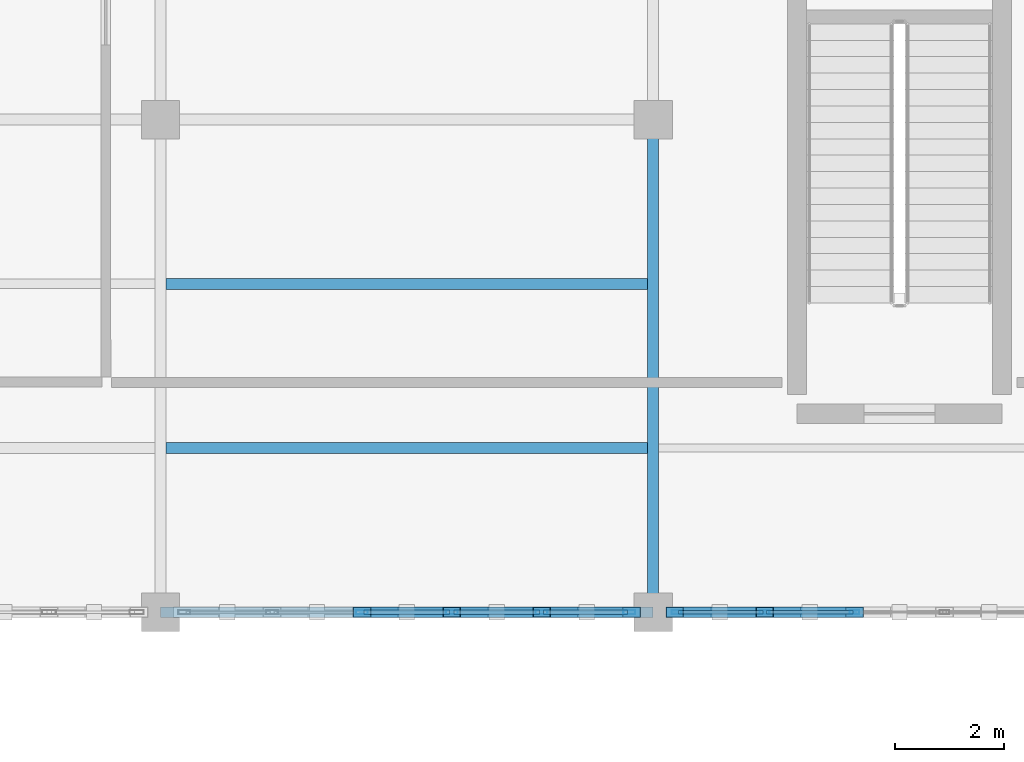
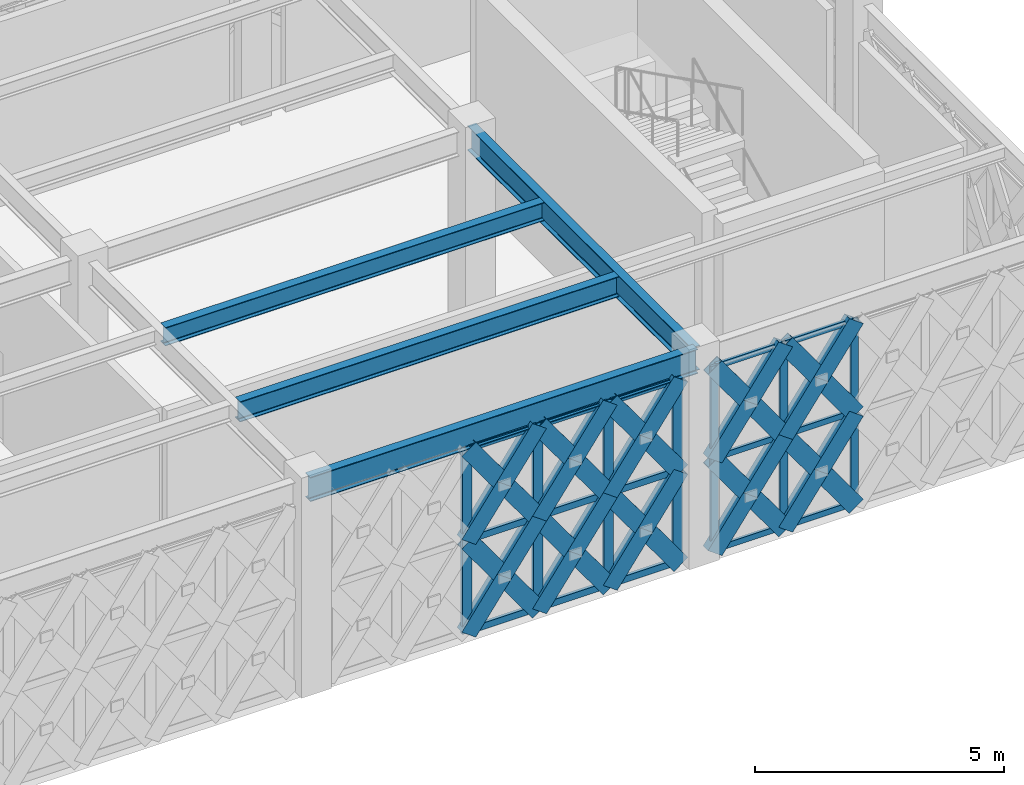
# One storey, part 10 of 72: 52 members, 4 beams, 2 elements without a shape of their own.
"""IFC4 building model written with IfcOpenShell, lengths in metres."""

from ifc_helpers import new_model, si_unit, direction, frame, origin, origin_2d, place, context, subcontext, project, spatial, hollow_rectangle, i_section, extrude, material, material_profile, profile_set, type_object, element, aggregate, save


model = new_model("IFC4")

# Units and contexts
model_context = context("Model", 3, precision=1e-05, world=origin(), true_north=direction((0.0, 1.0)))
body_context = subcontext(model_context, "Body", "Model", "MODEL_VIEW")
ifc_project = project(units=[si_unit("LENGTHUNIT", "METRE"), si_unit("AREAUNIT", "SQUARE_METRE"), si_unit("VOLUMEUNIT", "CUBIC_METRE"), si_unit("PLANEANGLEUNIT", "RADIAN"), si_unit("MASSUNIT", "GRAM", prefix="KILO")], contexts=[model_context])

# Site, building, storey
site_placement = place(None, origin())
site = spatial("IfcSite", under=ifc_project, at=site_placement, CompositionType="ELEMENT")
building_placement = place(site_placement, origin())
building = spatial("IfcBuilding", under=site, at=building_placement, Name="Haizhuo Lancet Aquarium", CompositionType="ELEMENT")
storey_placement = place(building_placement, frame((0.0, 0.0, 21.60009765625)))
storey = spatial("IfcBuildingStorey", under=building, at=storey_placement, Name="L04", CompositionType="ELEMENT", Elevation=21.60009765625)

# Beams
ifc_material_1 = material(Name="Steel S355", Category="steel")
ifc_material_profile_1 = material_profile(ifc_material_1, i_section(OverallWidth=0.199951171875, OverallDepth=0.60009765625, WebThickness=0.010986328125, FlangeThickness=0.01708984375, FilletRadius=0.02197265625, at=origin_2d()), Name="HN 600x200x11x17")
ifc_profile_set_1 = profile_set([ifc_material_profile_1], Name="Steel S355")
beam_type_1 = type_object("IfcBeamType", Name="BM-ST-HN600", PredefinedType="BEAM", material=ifc_profile_set_1)
for number, where, z_axis, x_axis, name in (
    (1, (-54.0, -27.0, 4.849853515625), (1.0, 0.0, 0.0), (0.0, 1.0, 0.0), "L04 V6 primary girder BM-L04-V6-015"),
    (2, (-45.0, -27.0, 4.849853515625), (0.0, 1.0, 0.0), (-1.0, 0.0, 0.0), "L04 V6 primary girder BM-L04-V6-019"),
):
    element("IfcBeam", number, at=place(storey_placement, frame(where, z_axis=z_axis, x_axis=x_axis)), inside=storey, type_object=beam_type_1, Name=name, PredefinedType="BEAM", context=body_context, shape_type="SweptSolid", body=[
        extrude(i_section(OverallWidth=0.199951171875, OverallDepth=0.60009765625, WebThickness=0.010986328125, FlangeThickness=0.01708984375, FilletRadius=0.02197265625, at=origin_2d()), origin(), (0.0, 0.0, 1.0), 9.0),
    ])

# Curtain wall, members
ifc_material_2 = material(Name="Aluminium 6063-T6", Category="aluminium")
curtain_wall_type = type_object("IfcCurtainWallType", Name="CWD-8210x4550", PredefinedType="NOTDEFINED", material=ifc_material_2)
curtain_wall_1_placement = place(storey_placement, origin())
curtain_wall_1 = element("IfcCurtainWall", 3, at=curtain_wall_1_placement, inside=storey, type_object=curtain_wall_type, Name="L04 curtain wall CW-V6-L04-253", PredefinedType="NOTDEFINED")
ifc_material_profile_2 = material_profile(ifc_material_2, hollow_rectangle(XDim=0.06494140625, YDim=0.179931640625, WallThickness=0.00390625, at=origin_2d()), Name="ALU-M 65x180x4")
ifc_profile_set_2 = profile_set([ifc_material_profile_2], Name="Aluminium 6063-T6")
member_type_1 = type_object("IfcMemberType", Name="CW-MUL-1", PredefinedType="MULLION", material=ifc_profile_set_2)
member_1_placement = place(storey_placement, frame((-41.321044921875, -27.0, 0.0), z_axis=(0.0, 0.0, 1.0), x_axis=(0.0, -1.0, 0.0)))
member_1 = element("IfcMember", 4, at=member_1_placement, type_object=member_type_1, Name="CWD-82x45 mullion 4", PredefinedType="MULLION", context=body_context, shape_type="SweptSolid", body=[
    extrude(hollow_rectangle(XDim=0.06494140625, YDim=0.179931640625, WallThickness=0.00390625, at=origin_2d()), origin(), (0.0, 0.0, 1.0), 4.5498046875),
])
member_2_placement = place(storey_placement, frame((-42.962890625, -27.0, 0.0), z_axis=(0.0, 0.0, 1.0), x_axis=(0.0, -1.0, 0.0)))
member_2 = element("IfcMember", 5, at=member_2_placement, type_object=member_type_1, Name="CWD-82x45 mullion 5", PredefinedType="MULLION", context=body_context, shape_type="SweptSolid", body=[
    extrude(hollow_rectangle(XDim=0.06494140625, YDim=0.179931640625, WallThickness=0.00390625, at=origin_2d()), origin(), (0.0, 0.0, 1.0), 4.5498046875),
])
member_3_placement = place(storey_placement, frame((-44.572021484375, -27.0, 0.0), z_axis=(0.0, 0.0, 1.0), x_axis=(0.0, -1.0, 0.0)))
member_3 = element("IfcMember", 6, at=member_3_placement, type_object=member_type_1, Name="CWD-82x45 mullion 6", PredefinedType="MULLION", context=body_context, shape_type="SweptSolid", body=[
    extrude(hollow_rectangle(XDim=0.06494140625, YDim=0.179931640625, WallThickness=0.00390625, at=origin_2d()), origin(), (0.0, 0.0, 1.0), 4.5498046875),
])

curtain_wall_2_placement = place(storey_placement, origin())
curtain_wall_2 = element("IfcCurtainWall", 7, at=curtain_wall_2_placement, inside=storey, type_object=curtain_wall_type, Name="L04 curtain wall CW-V6-L04-254", PredefinedType="NOTDEFINED")
ifc_material_profile_3 = material_profile(ifc_material_2, hollow_rectangle(XDim=0.074951171875, YDim=0.219970703125, WallThickness=0.0048828125, at=origin_2d()), Name="ALU-M 75x220x5")
ifc_profile_set_3 = profile_set([ifc_material_profile_3], Name="Aluminium 6063-T6")
member_type_2 = type_object("IfcMemberType", Name="CW-MUL-2", PredefinedType="MULLION", material=ifc_profile_set_3)
member_4_placement = place(storey_placement, frame((-45.43310546875, -27.0, 0.0), z_axis=(0.0, 0.0, 1.0), x_axis=(0.0, -1.0, 0.0)))
member_4 = element("IfcMember", 8, at=member_4_placement, type_object=member_type_2, Name="CWD-82x45 mullion 1", PredefinedType="MULLION", context=body_context, shape_type="SweptSolid", body=[
    extrude(hollow_rectangle(XDim=0.074951171875, YDim=0.219970703125, WallThickness=0.0048828125, at=origin_2d()), origin(), (0.0, 0.0, 1.0), 4.5498046875),
])
member_5_placement = place(storey_placement, frame((-47.037109375, -27.0, 0.0), z_axis=(0.0, 0.0, 1.0), x_axis=(0.0, -1.0, 0.0)))
member_5 = element("IfcMember", 9, at=member_5_placement, type_object=member_type_2, Name="CWD-82x45 mullion 2", PredefinedType="MULLION", context=body_context, shape_type="SweptSolid", body=[
    extrude(hollow_rectangle(XDim=0.074951171875, YDim=0.219970703125, WallThickness=0.0048828125, at=origin_2d()), origin(), (0.0, 0.0, 1.0), 4.5498046875),
])
member_6_placement = place(storey_placement, frame((-48.678955078125, -27.0, 0.0), z_axis=(0.0, 0.0, 1.0), x_axis=(0.0, -1.0, 0.0)))
member_6 = element("IfcMember", 10, at=member_6_placement, type_object=member_type_2, Name="CWD-82x45 mullion 3", PredefinedType="MULLION", context=body_context, shape_type="SweptSolid", body=[
    extrude(hollow_rectangle(XDim=0.074951171875, YDim=0.219970703125, WallThickness=0.0048828125, at=origin_2d()), origin(), (0.0, 0.0, 1.0), 4.5498046875),
])
member_7_placement = place(storey_placement, frame((-50.321044921875, -27.0, 0.0), z_axis=(0.0, 0.0, 1.0), x_axis=(0.0, -1.0, 0.0)))
member_7 = element("IfcMember", 11, at=member_7_placement, type_object=member_type_2, Name="CWD-82x45 mullion 4", PredefinedType="MULLION", context=body_context, shape_type="SweptSolid", body=[
    extrude(hollow_rectangle(XDim=0.074951171875, YDim=0.219970703125, WallThickness=0.0048828125, at=origin_2d()), origin(), (0.0, 0.0, 1.0), 4.5498046875),
])

# Member
ifc_material_profile_4 = material_profile(ifc_material_2, hollow_rectangle(XDim=0.06494140625, YDim=0.139892578125, WallThickness=0.00390625, at=origin_2d()), Name="ALU-T 65x140x4")
ifc_profile_set_4 = profile_set([ifc_material_profile_4], Name="Aluminium 6063-T6")
member_type_3 = type_object("IfcMemberType", Name="CW-TRN-1", PredefinedType="NOTDEFINED", material=ifc_profile_set_4)
member_8_placement = place(storey_placement, frame((-41.35302734375, -27.0, 0.032958984375), z_axis=(-1.0, 0.0, 0.0), x_axis=(0.0, -1.0, 0.0)))
member_8 = element("IfcMember", 12, at=member_8_placement, type_object=member_type_3, Name="CWD-82x45 transom 4.1", ObjectType="TRANSOM", PredefinedType="USERDEFINED", context=body_context, shape_type="SweptSolid", body=[
    extrude(hollow_rectangle(XDim=0.06494140625, YDim=0.139892578125, WallThickness=0.00390625, at=origin_2d()), origin(), (0.0, 0.0, 1.0), 1.576904296875),
])

member_9_placement = place(storey_placement, frame((-41.35302734375, -27.0, 2.27490234375), z_axis=(-1.0, 0.0, 0.0), x_axis=(0.0, -1.0, 0.0)))
member_9 = element("IfcMember", 13, at=member_9_placement, type_object=member_type_3, Name="CWD-82x45 transom 4.2", ObjectType="TRANSOM", PredefinedType="USERDEFINED", context=body_context, shape_type="SweptSolid", body=[
    extrude(hollow_rectangle(XDim=0.06494140625, YDim=0.139892578125, WallThickness=0.00390625, at=origin_2d()), origin(), (0.0, 0.0, 1.0), 1.576904296875),
])

member_10_placement = place(storey_placement, frame((-41.35302734375, -27.0, 4.516845703125), z_axis=(-1.0, 0.0, 0.0), x_axis=(0.0, -1.0, 0.0)))
member_10 = element("IfcMember", 14, at=member_10_placement, type_object=member_type_3, Name="CWD-82x45 transom 4.3", ObjectType="TRANSOM", PredefinedType="USERDEFINED", context=body_context, shape_type="SweptSolid", body=[
    extrude(hollow_rectangle(XDim=0.06494140625, YDim=0.139892578125, WallThickness=0.00390625, at=origin_2d()), origin(), (0.0, 0.0, 1.0), 1.576904296875),
])

member_11_placement = place(storey_placement, frame((-42.9951171875, -27.0, 0.032958984375), z_axis=(-1.0, 0.0, 0.0), x_axis=(0.0, -1.0, 0.0)))
member_11 = element("IfcMember", 15, at=member_11_placement, type_object=member_type_3, Name="CWD-82x45 transom 5.1", ObjectType="TRANSOM", PredefinedType="USERDEFINED", context=body_context, shape_type="SweptSolid", body=[
    extrude(hollow_rectangle(XDim=0.06494140625, YDim=0.139892578125, WallThickness=0.00390625, at=origin_2d()), origin(), (0.0, 0.0, 1.0), 1.544921875),
])

member_12_placement = place(storey_placement, frame((-42.9951171875, -27.0, 2.27490234375), z_axis=(-1.0, 0.0, 0.0), x_axis=(0.0, -1.0, 0.0)))
member_12 = element("IfcMember", 16, at=member_12_placement, type_object=member_type_3, Name="CWD-82x45 transom 5.2", ObjectType="TRANSOM", PredefinedType="USERDEFINED", context=body_context, shape_type="SweptSolid", body=[
    extrude(hollow_rectangle(XDim=0.06494140625, YDim=0.139892578125, WallThickness=0.00390625, at=origin_2d()), origin(), (0.0, 0.0, 1.0), 1.544921875),
])

member_13_placement = place(storey_placement, frame((-42.9951171875, -27.0, 4.516845703125), z_axis=(-1.0, 0.0, 0.0), x_axis=(0.0, -1.0, 0.0)))
member_13 = element("IfcMember", 17, at=member_13_placement, type_object=member_type_3, Name="CWD-82x45 transom 5.3", ObjectType="TRANSOM", PredefinedType="USERDEFINED", context=body_context, shape_type="SweptSolid", body=[
    extrude(hollow_rectangle(XDim=0.06494140625, YDim=0.139892578125, WallThickness=0.00390625, at=origin_2d()), origin(), (0.0, 0.0, 1.0), 1.544921875),
])

aggregate(curtain_wall_1, [member_1, member_2, member_3, member_8, member_9, member_10, member_11, member_12, member_13])

ifc_material_profile_5 = material_profile(ifc_material_2, hollow_rectangle(XDim=0.074951171875, YDim=0.159912109375, WallThickness=0.00390625, at=origin_2d()), Name="ALU-T 75x160x4")
ifc_profile_set_5 = profile_set([ifc_material_profile_5], Name="Aluminium 6063-T6")
member_type_4 = type_object("IfcMemberType", Name="CW-TRN-2", PredefinedType="NOTDEFINED", material=ifc_profile_set_5)
member_14_placement = place(storey_placement, frame((-45.469970703125, -27.0, 0.037841796875), z_axis=(-1.0, 0.0, 0.0), x_axis=(0.0, -1.0, 0.0)))
member_14 = element("IfcMember", 18, at=member_14_placement, type_object=member_type_4, Name="CWD-82x45 transom 1.1", ObjectType="TRANSOM", PredefinedType="USERDEFINED", context=body_context, shape_type="SweptSolid", body=[
    extrude(hollow_rectangle(XDim=0.074951171875, YDim=0.159912109375, WallThickness=0.00390625, at=origin_2d()), origin(), (0.0, 0.0, 1.0), 1.530029296875),
])

member_15_placement = place(storey_placement, frame((-45.469970703125, -27.0, 2.27490234375), z_axis=(-1.0, 0.0, 0.0), x_axis=(0.0, -1.0, 0.0)))
member_15 = element("IfcMember", 19, at=member_15_placement, type_object=member_type_4, Name="CWD-82x45 transom 1.2", ObjectType="TRANSOM", PredefinedType="USERDEFINED", context=body_context, shape_type="SweptSolid", body=[
    extrude(hollow_rectangle(XDim=0.074951171875, YDim=0.159912109375, WallThickness=0.00390625, at=origin_2d()), origin(), (0.0, 0.0, 1.0), 1.530029296875),
])

member_16_placement = place(storey_placement, frame((-45.469970703125, -27.0, 4.511962890625), z_axis=(-1.0, 0.0, 0.0), x_axis=(0.0, -1.0, 0.0)))
member_16 = element("IfcMember", 20, at=member_16_placement, type_object=member_type_4, Name="CWD-82x45 transom 1.3", ObjectType="TRANSOM", PredefinedType="USERDEFINED", context=body_context, shape_type="SweptSolid", body=[
    extrude(hollow_rectangle(XDim=0.074951171875, YDim=0.159912109375, WallThickness=0.00390625, at=origin_2d()), origin(), (0.0, 0.0, 1.0), 1.530029296875),
])

member_17_placement = place(storey_placement, frame((-47.074951171875, -27.0, 0.037841796875), z_axis=(-1.0, 0.0, 0.0), x_axis=(0.0, -1.0, 0.0)))
member_17 = element("IfcMember", 21, at=member_17_placement, type_object=member_type_4, Name="CWD-82x45 transom 2.1", ObjectType="TRANSOM", PredefinedType="USERDEFINED", context=body_context, shape_type="SweptSolid", body=[
    extrude(hollow_rectangle(XDim=0.074951171875, YDim=0.159912109375, WallThickness=0.00390625, at=origin_2d()), origin(), (0.0, 0.0, 1.0), 1.567138671875),
])

member_18_placement = place(storey_placement, frame((-47.074951171875, -27.0, 2.27490234375), z_axis=(-1.0, 0.0, 0.0), x_axis=(0.0, -1.0, 0.0)))
member_18 = element("IfcMember", 22, at=member_18_placement, type_object=member_type_4, Name="CWD-82x45 transom 2.2", ObjectType="TRANSOM", PredefinedType="USERDEFINED", context=body_context, shape_type="SweptSolid", body=[
    extrude(hollow_rectangle(XDim=0.074951171875, YDim=0.159912109375, WallThickness=0.00390625, at=origin_2d()), origin(), (0.0, 0.0, 1.0), 1.567138671875),
])

member_19_placement = place(storey_placement, frame((-47.074951171875, -27.0, 4.511962890625), z_axis=(-1.0, 0.0, 0.0), x_axis=(0.0, -1.0, 0.0)))
member_19 = element("IfcMember", 23, at=member_19_placement, type_object=member_type_4, Name="CWD-82x45 transom 2.3", ObjectType="TRANSOM", PredefinedType="USERDEFINED", context=body_context, shape_type="SweptSolid", body=[
    extrude(hollow_rectangle(XDim=0.074951171875, YDim=0.159912109375, WallThickness=0.00390625, at=origin_2d()), origin(), (0.0, 0.0, 1.0), 1.567138671875),
])

member_20_placement = place(storey_placement, frame((-48.717041015625, -27.0, 0.037841796875), z_axis=(-1.0, 0.0, 0.0), x_axis=(0.0, -1.0, 0.0)))
member_20 = element("IfcMember", 24, at=member_20_placement, type_object=member_type_4, Name="CWD-82x45 transom 3.1", ObjectType="TRANSOM", PredefinedType="USERDEFINED", context=body_context, shape_type="SweptSolid", body=[
    extrude(hollow_rectangle(XDim=0.074951171875, YDim=0.159912109375, WallThickness=0.00390625, at=origin_2d()), origin(), (0.0, 0.0, 1.0), 1.56689453125),
])

member_21_placement = place(storey_placement, frame((-48.717041015625, -27.0, 2.27490234375), z_axis=(-1.0, 0.0, 0.0), x_axis=(0.0, -1.0, 0.0)))
member_21 = element("IfcMember", 25, at=member_21_placement, type_object=member_type_4, Name="CWD-82x45 transom 3.2", ObjectType="TRANSOM", PredefinedType="USERDEFINED", context=body_context, shape_type="SweptSolid", body=[
    extrude(hollow_rectangle(XDim=0.074951171875, YDim=0.159912109375, WallThickness=0.00390625, at=origin_2d()), origin(), (0.0, 0.0, 1.0), 1.56689453125),
])

member_22_placement = place(storey_placement, frame((-48.717041015625, -27.0, 4.511962890625), z_axis=(-1.0, 0.0, 0.0), x_axis=(0.0, -1.0, 0.0)))
member_22 = element("IfcMember", 26, at=member_22_placement, type_object=member_type_4, Name="CWD-82x45 transom 3.3", ObjectType="TRANSOM", PredefinedType="USERDEFINED", context=body_context, shape_type="SweptSolid", body=[
    extrude(hollow_rectangle(XDim=0.074951171875, YDim=0.159912109375, WallThickness=0.00390625, at=origin_2d()), origin(), (0.0, 0.0, 1.0), 1.56689453125),
])

aggregate(curtain_wall_2, [member_4, member_5, member_6, member_7, member_14, member_15, member_16, member_17, member_18, member_19, member_20, member_21, member_22])

# Beams
ifc_material_profile_6 = material_profile(ifc_material_1, i_section(OverallWidth=0.199951171875, OverallDepth=0.449951171875, WebThickness=0.009033203125, FlangeThickness=0.013916015625, FilletRadius=0.01806640625, at=origin_2d()), Name="HN 450x200x9x14")
ifc_profile_set_6 = profile_set([ifc_material_profile_6], Name="Steel S355")
beam_type_2 = type_object("IfcBeamType", Name="JST-ST-HN450", PredefinedType="JOIST", material=ifc_profile_set_6)
beam_1_placement = place(storey_placement, frame((-53.89990234375, -21.0, 4.9248046875), z_axis=(1.0, 0.0, 0.0), x_axis=(0.0, 1.0, 0.0)))
element("IfcBeam", 27, at=beam_1_placement, inside=storey, type_object=beam_type_2, Name="L04 V6 secondary floor joist 11", PredefinedType="JOIST", context=body_context, shape_type="SweptSolid", body=[
    extrude(i_section(OverallWidth=0.199951171875, OverallDepth=0.449951171875, WebThickness=0.009033203125, FlangeThickness=0.013916015625, FilletRadius=0.01806640625, at=origin_2d()), origin(), (0.0, 0.0, 1.0), 8.7998046875),
])
ifc_material_profile_7 = material_profile(ifc_material_1, i_section(OverallWidth=0.199951171875, OverallDepth=0.5, WebThickness=0.010009765625, FlangeThickness=0.01611328125, FilletRadius=0.02001953125, at=origin_2d()), Name="HN 500x200x10x16")
ifc_profile_set_7 = profile_set([ifc_material_profile_7], Name="Steel S355")
beam_type_3 = type_object("IfcBeamType", Name="JST-ST-HN500", PredefinedType="JOIST", material=ifc_profile_set_7)
beam_2_placement = place(storey_placement, frame((-53.89990234375, -24.0, 4.89990234375), z_axis=(1.0, 0.0, 0.0), x_axis=(0.0, 1.0, 0.0)))
element("IfcBeam", 28, at=beam_2_placement, inside=storey, type_object=beam_type_3, Name="L04 V6 secondary floor joist 10", PredefinedType="JOIST", context=body_context, shape_type="SweptSolid", body=[
    extrude(i_section(OverallWidth=0.199951171875, OverallDepth=0.5, WebThickness=0.010009765625, FlangeThickness=0.01611328125, FilletRadius=0.02001953125, at=origin_2d()), origin(), (0.0, 0.0, 1.0), 8.7998046875),
])

# Members
ifc_material_profile_8 = material_profile(ifc_material_1, hollow_rectangle(XDim=0.199951171875, YDim=0.39990234375, WallThickness=0.011962890625, at=origin_2d()), Name="RHS 200x400x12")
ifc_profile_set_8 = profile_set([ifc_material_profile_8], Name="Steel S355")
member_type_5 = type_object("IfcMemberType", Name="MEM-LB-RHS200x400", PredefinedType="BRACE", material=ifc_profile_set_8)
member_23_placement = place(storey_placement, frame((-41.321044921875, -27.0, 0.0), z_axis=(-0.585223630803, 0.0, 0.810871939304), x_axis=(0.0, -1.0, 0.0)))
element("IfcMember", 29, at=member_23_placement, inside=storey, type_object=member_type_5, Name="Gothic lancet continuous diagonal brace CW-V6-L04-253 7A", PredefinedType="BRACE", context=body_context, shape_type="SweptSolid", body=[
    extrude(hollow_rectangle(XDim=0.199951171875, YDim=0.39990234375, WallThickness=0.011962890625, at=origin_2d()), origin(), (0.0, 0.0, 1.0), 2.805419921875),
])
member_24_placement = place(storey_placement, frame((-42.962890625, -27.0, 0.0), z_axis=(0.585001259689, 0.0, 0.81103238293), x_axis=(0.0, 1.0, 0.0)))
element("IfcMember", 30, at=member_24_placement, inside=storey, type_object=member_type_5, Name="Gothic lancet split diagonal brace CW-V6-L04-253 7B1", PredefinedType="BRACE", context=body_context, shape_type="SweptSolid", body=[
    extrude(hollow_rectangle(XDim=0.199951171875, YDim=0.39990234375, WallThickness=0.011962890625, at=origin_2d()), origin(), (0.0, 0.0, 1.0), 1.403076171875),
])
member_25_placement = place(storey_placement, frame((-42.14208984375, -27.0, 1.137939453125), z_axis=(0.585446060787, 0.0, 0.810711360417), x_axis=(0.0, 1.0, 0.0)))
element("IfcMember", 31, at=member_25_placement, inside=storey, type_object=member_type_5, Name="Gothic lancet split diagonal brace CW-V6-L04-253 7B2", PredefinedType="BRACE", context=body_context, shape_type="SweptSolid", body=[
    extrude(hollow_rectangle(XDim=0.199951171875, YDim=0.39990234375, WallThickness=0.011962890625, at=origin_2d()), origin(), (0.0, 0.0, 1.0), 1.40234375),
])
member_26_placement = place(storey_placement, frame((-41.321044921875, -27.0, 2.27490234375), z_axis=(-0.585223630803, 0.0, 0.810871939304), x_axis=(0.0, -1.0, 0.0)))
element("IfcMember", 32, at=member_26_placement, inside=storey, type_object=member_type_5, Name="Gothic lancet continuous diagonal brace CW-V6-L04-253 8A", PredefinedType="BRACE", context=body_context, shape_type="SweptSolid", body=[
    extrude(hollow_rectangle(XDim=0.199951171875, YDim=0.39990234375, WallThickness=0.011962890625, at=origin_2d()), origin(), (0.0, 0.0, 1.0), 2.805419921875),
])
member_27_placement = place(storey_placement, frame((-42.962890625, -27.0, 2.27490234375), z_axis=(0.585331625772, 0.0, 0.810793986085), x_axis=(0.0, 1.0, 0.0)))
element("IfcMember", 33, at=member_27_placement, inside=storey, type_object=member_type_5, Name="Gothic lancet split diagonal brace CW-V6-L04-253 8B1", PredefinedType="BRACE", context=body_context, shape_type="SweptSolid", body=[
    extrude(hollow_rectangle(XDim=0.199951171875, YDim=0.39990234375, WallThickness=0.011962890625, at=origin_2d()), origin(), (0.0, 0.0, 1.0), 1.40234375),
])
member_28_placement = place(storey_placement, frame((-42.14208984375, -27.0, 3.411865234375), z_axis=(0.585115697402, 0.0, 0.810949826224), x_axis=(0.0, 1.0, 0.0)))
element("IfcMember", 34, at=member_28_placement, inside=storey, type_object=member_type_5, Name="Gothic lancet split diagonal brace CW-V6-L04-253 8B2", PredefinedType="BRACE", context=body_context, shape_type="SweptSolid", body=[
    extrude(hollow_rectangle(XDim=0.199951171875, YDim=0.39990234375, WallThickness=0.011962890625, at=origin_2d()), origin(), (0.0, 0.0, 1.0), 1.4033203125),
])
member_29_placement = place(storey_placement, frame((-42.962890625, -27.0, 0.0), z_axis=(-0.585280844621, 0.0, 0.810830643797), x_axis=(0.0, -1.0, 0.0)))
element("IfcMember", 35, at=member_29_placement, inside=storey, type_object=member_type_5, Name="Gothic lancet continuous diagonal brace CW-V6-L04-253 9A", PredefinedType="BRACE", context=body_context, shape_type="SweptSolid", body=[
    extrude(hollow_rectangle(XDim=0.199951171875, YDim=0.39990234375, WallThickness=0.011962890625, at=origin_2d()), origin(), (0.0, 0.0, 1.0), 2.8056640625),
])
member_30_placement = place(storey_placement, frame((-44.60498046875, -27.0, 0.0), z_axis=(0.585115697402, 0.0, 0.810949826224), x_axis=(0.0, 1.0, 0.0)))
element("IfcMember", 36, at=member_30_placement, inside=storey, type_object=member_type_5, Name="Gothic lancet split diagonal brace CW-V6-L04-253 9B1", PredefinedType="BRACE", context=body_context, shape_type="SweptSolid", body=[
    extrude(hollow_rectangle(XDim=0.199951171875, YDim=0.39990234375, WallThickness=0.011962890625, at=origin_2d()), origin(), (0.0, 0.0, 1.0), 1.4033203125),
])
member_31_placement = place(storey_placement, frame((-43.783935546875, -27.0, 1.137939453125), z_axis=(0.585446060787, 0.0, 0.810711360417), x_axis=(0.0, 1.0, 0.0)))
element("IfcMember", 37, at=member_31_placement, inside=storey, type_object=member_type_5, Name="Gothic lancet split diagonal brace CW-V6-L04-253 9B2", PredefinedType="BRACE", context=body_context, shape_type="SweptSolid", body=[
    extrude(hollow_rectangle(XDim=0.199951171875, YDim=0.39990234375, WallThickness=0.011962890625, at=origin_2d()), origin(), (0.0, 0.0, 1.0), 1.40234375),
])
member_32_placement = place(storey_placement, frame((-42.962890625, -27.0, 2.27490234375), z_axis=(-0.585280844621, 0.0, 0.810830643797), x_axis=(0.0, -1.0, 0.0)))
element("IfcMember", 38, at=member_32_placement, inside=storey, type_object=member_type_5, Name="Gothic lancet continuous diagonal brace CW-V6-L04-253 10A", PredefinedType="BRACE", context=body_context, shape_type="SweptSolid", body=[
    extrude(hollow_rectangle(XDim=0.199951171875, YDim=0.39990234375, WallThickness=0.011962890625, at=origin_2d()), origin(), (0.0, 0.0, 1.0), 2.8056640625),
])
member_33_placement = place(storey_placement, frame((-44.60498046875, -27.0, 2.27490234375), z_axis=(0.585446060787, 0.0, 0.810711360417), x_axis=(0.0, 1.0, 0.0)))
element("IfcMember", 39, at=member_33_placement, inside=storey, type_object=member_type_5, Name="Gothic lancet split diagonal brace CW-V6-L04-253 10B1", PredefinedType="BRACE", context=body_context, shape_type="SweptSolid", body=[
    extrude(hollow_rectangle(XDim=0.199951171875, YDim=0.39990234375, WallThickness=0.011962890625, at=origin_2d()), origin(), (0.0, 0.0, 1.0), 1.40234375),
])
member_34_placement = place(storey_placement, frame((-43.783935546875, -27.0, 3.411865234375), z_axis=(0.585115697402, 0.0, 0.810949826224), x_axis=(0.0, 1.0, 0.0)))
element("IfcMember", 40, at=member_34_placement, inside=storey, type_object=member_type_5, Name="Gothic lancet split diagonal brace CW-V6-L04-253 10B2", PredefinedType="BRACE", context=body_context, shape_type="SweptSolid", body=[
    extrude(hollow_rectangle(XDim=0.199951171875, YDim=0.39990234375, WallThickness=0.011962890625, at=origin_2d()), origin(), (0.0, 0.0, 1.0), 1.4033203125),
])
member_35_placement = place(storey_placement, frame((-45.39501953125, -27.0, 0.0), z_axis=(-0.585280844621, 0.0, 0.810830643797), x_axis=(0.0, -1.0, 0.0)))
element("IfcMember", 41, at=member_35_placement, inside=storey, type_object=member_type_5, Name="Gothic lancet continuous diagonal brace CW-V6-L04-254 1A", PredefinedType="BRACE", context=body_context, shape_type="SweptSolid", body=[
    extrude(hollow_rectangle(XDim=0.199951171875, YDim=0.39990234375, WallThickness=0.011962890625, at=origin_2d()), origin(), (0.0, 0.0, 1.0), 2.8056640625),
])
member_36_placement = place(storey_placement, frame((-47.037109375, -27.0, 0.0), z_axis=(0.585115697402, 0.0, 0.810949826224), x_axis=(0.0, 1.0, 0.0)))
element("IfcMember", 42, at=member_36_placement, inside=storey, type_object=member_type_5, Name="Gothic lancet split diagonal brace CW-V6-L04-254 1B1", PredefinedType="BRACE", context=body_context, shape_type="SweptSolid", body=[
    extrude(hollow_rectangle(XDim=0.199951171875, YDim=0.39990234375, WallThickness=0.011962890625, at=origin_2d()), origin(), (0.0, 0.0, 1.0), 1.4033203125),
])
member_37_placement = place(storey_placement, frame((-46.216064453125, -27.0, 1.137939453125), z_axis=(0.585446060787, 0.0, 0.810711360417), x_axis=(0.0, 1.0, 0.0)))
element("IfcMember", 43, at=member_37_placement, inside=storey, type_object=member_type_5, Name="Gothic lancet split diagonal brace CW-V6-L04-254 1B2", PredefinedType="BRACE", context=body_context, shape_type="SweptSolid", body=[
    extrude(hollow_rectangle(XDim=0.199951171875, YDim=0.39990234375, WallThickness=0.011962890625, at=origin_2d()), origin(), (0.0, 0.0, 1.0), 1.40234375),
])
member_38_placement = place(storey_placement, frame((-45.39501953125, -27.0, 2.27490234375), z_axis=(-0.585280844621, 0.0, 0.810830643797), x_axis=(0.0, -1.0, 0.0)))
element("IfcMember", 44, at=member_38_placement, inside=storey, type_object=member_type_5, Name="Gothic lancet continuous diagonal brace CW-V6-L04-254 2A", PredefinedType="BRACE", context=body_context, shape_type="SweptSolid", body=[
    extrude(hollow_rectangle(XDim=0.199951171875, YDim=0.39990234375, WallThickness=0.011962890625, at=origin_2d()), origin(), (0.0, 0.0, 1.0), 2.8056640625),
])
member_39_placement = place(storey_placement, frame((-47.037109375, -27.0, 2.27490234375), z_axis=(0.585446060787, 0.0, 0.810711360417), x_axis=(0.0, 1.0, 0.0)))
element("IfcMember", 45, at=member_39_placement, inside=storey, type_object=member_type_5, Name="Gothic lancet split diagonal brace CW-V6-L04-254 2B1", PredefinedType="BRACE", context=body_context, shape_type="SweptSolid", body=[
    extrude(hollow_rectangle(XDim=0.199951171875, YDim=0.39990234375, WallThickness=0.011962890625, at=origin_2d()), origin(), (0.0, 0.0, 1.0), 1.40234375),
])
member_40_placement = place(storey_placement, frame((-46.216064453125, -27.0, 3.411865234375), z_axis=(0.585115697402, 0.0, 0.810949826224), x_axis=(0.0, 1.0, 0.0)))
element("IfcMember", 46, at=member_40_placement, inside=storey, type_object=member_type_5, Name="Gothic lancet split diagonal brace CW-V6-L04-254 2B2", PredefinedType="BRACE", context=body_context, shape_type="SweptSolid", body=[
    extrude(hollow_rectangle(XDim=0.199951171875, YDim=0.39990234375, WallThickness=0.011962890625, at=origin_2d()), origin(), (0.0, 0.0, 1.0), 1.4033203125),
])
member_41_placement = place(storey_placement, frame((-47.037109375, -27.0, 0.0), z_axis=(-0.585223630803, 0.0, 0.810871939304), x_axis=(0.0, -1.0, 0.0)))
element("IfcMember", 47, at=member_41_placement, inside=storey, type_object=member_type_5, Name="Gothic lancet continuous diagonal brace CW-V6-L04-254 3A", PredefinedType="BRACE", context=body_context, shape_type="SweptSolid", body=[
    extrude(hollow_rectangle(XDim=0.199951171875, YDim=0.39990234375, WallThickness=0.011962890625, at=origin_2d()), origin(), (0.0, 0.0, 1.0), 2.805419921875),
])
member_42_placement = place(storey_placement, frame((-48.678955078125, -27.0, 0.0), z_axis=(0.585115697402, 0.0, 0.810949826224), x_axis=(0.0, 1.0, 0.0)))
element("IfcMember", 48, at=member_42_placement, inside=storey, type_object=member_type_5, Name="Gothic lancet split diagonal brace CW-V6-L04-254 3B1", PredefinedType="BRACE", context=body_context, shape_type="SweptSolid", body=[
    extrude(hollow_rectangle(XDim=0.199951171875, YDim=0.39990234375, WallThickness=0.011962890625, at=origin_2d()), origin(), (0.0, 0.0, 1.0), 1.4033203125),
])
member_43_placement = place(storey_placement, frame((-47.85791015625, -27.0, 1.137939453125), z_axis=(0.585331625772, 0.0, 0.810793986085), x_axis=(0.0, 1.0, 0.0)))
element("IfcMember", 49, at=member_43_placement, inside=storey, type_object=member_type_5, Name="Gothic lancet split diagonal brace CW-V6-L04-254 3B2", PredefinedType="BRACE", context=body_context, shape_type="SweptSolid", body=[
    extrude(hollow_rectangle(XDim=0.199951171875, YDim=0.39990234375, WallThickness=0.011962890625, at=origin_2d()), origin(), (0.0, 0.0, 1.0), 1.40234375),
])
member_44_placement = place(storey_placement, frame((-47.037109375, -27.0, 2.27490234375), z_axis=(-0.585223630803, 0.0, 0.810871939304), x_axis=(0.0, -1.0, 0.0)))
element("IfcMember", 50, at=member_44_placement, inside=storey, type_object=member_type_5, Name="Gothic lancet continuous diagonal brace CW-V6-L04-254 4A", PredefinedType="BRACE", context=body_context, shape_type="SweptSolid", body=[
    extrude(hollow_rectangle(XDim=0.199951171875, YDim=0.39990234375, WallThickness=0.011962890625, at=origin_2d()), origin(), (0.0, 0.0, 1.0), 2.805419921875),
])
member_45_placement = place(storey_placement, frame((-48.678955078125, -27.0, 2.27490234375), z_axis=(0.585446060787, 0.0, 0.810711360417), x_axis=(0.0, 1.0, 0.0)))
element("IfcMember", 51, at=member_45_placement, inside=storey, type_object=member_type_5, Name="Gothic lancet split diagonal brace CW-V6-L04-254 4B1", PredefinedType="BRACE", context=body_context, shape_type="SweptSolid", body=[
    extrude(hollow_rectangle(XDim=0.199951171875, YDim=0.39990234375, WallThickness=0.011962890625, at=origin_2d()), origin(), (0.0, 0.0, 1.0), 1.40234375),
])
member_46_placement = place(storey_placement, frame((-47.85791015625, -27.0, 3.411865234375), z_axis=(0.585001259689, 0.0, 0.81103238293), x_axis=(0.0, 1.0, 0.0)))
element("IfcMember", 52, at=member_46_placement, inside=storey, type_object=member_type_5, Name="Gothic lancet split diagonal brace CW-V6-L04-254 4B2", PredefinedType="BRACE", context=body_context, shape_type="SweptSolid", body=[
    extrude(hollow_rectangle(XDim=0.199951171875, YDim=0.39990234375, WallThickness=0.011962890625, at=origin_2d()), origin(), (0.0, 0.0, 1.0), 1.403076171875),
])
member_47_placement = place(storey_placement, frame((-48.678955078125, -27.0, 0.0), z_axis=(-0.585280844621, 0.0, 0.810830643797), x_axis=(0.0, -1.0, 0.0)))
element("IfcMember", 53, at=member_47_placement, inside=storey, type_object=member_type_5, Name="Gothic lancet continuous diagonal brace CW-V6-L04-254 5A", PredefinedType="BRACE", context=body_context, shape_type="SweptSolid", body=[
    extrude(hollow_rectangle(XDim=0.199951171875, YDim=0.39990234375, WallThickness=0.011962890625, at=origin_2d()), origin(), (0.0, 0.0, 1.0), 2.8056640625),
])
member_48_placement = place(storey_placement, frame((-50.321044921875, -27.0, 0.0), z_axis=(0.585115697402, 0.0, 0.810949826224), x_axis=(0.0, 1.0, 0.0)))
element("IfcMember", 54, at=member_48_placement, inside=storey, type_object=member_type_5, Name="Gothic lancet split diagonal brace CW-V6-L04-254 5B1", PredefinedType="BRACE", context=body_context, shape_type="SweptSolid", body=[
    extrude(hollow_rectangle(XDim=0.199951171875, YDim=0.39990234375, WallThickness=0.011962890625, at=origin_2d()), origin(), (0.0, 0.0, 1.0), 1.4033203125),
])
member_49_placement = place(storey_placement, frame((-49.5, -27.0, 1.137939453125), z_axis=(0.585446060787, 0.0, 0.810711360417), x_axis=(0.0, 1.0, 0.0)))
element("IfcMember", 55, at=member_49_placement, inside=storey, type_object=member_type_5, Name="Gothic lancet split diagonal brace CW-V6-L04-254 5B2", PredefinedType="BRACE", context=body_context, shape_type="SweptSolid", body=[
    extrude(hollow_rectangle(XDim=0.199951171875, YDim=0.39990234375, WallThickness=0.011962890625, at=origin_2d()), origin(), (0.0, 0.0, 1.0), 1.40234375),
])
member_50_placement = place(storey_placement, frame((-48.678955078125, -27.0, 2.27490234375), z_axis=(-0.585280844621, 0.0, 0.810830643797), x_axis=(0.0, -1.0, 0.0)))
element("IfcMember", 56, at=member_50_placement, inside=storey, type_object=member_type_5, Name="Gothic lancet continuous diagonal brace CW-V6-L04-254 6A", PredefinedType="BRACE", context=body_context, shape_type="SweptSolid", body=[
    extrude(hollow_rectangle(XDim=0.199951171875, YDim=0.39990234375, WallThickness=0.011962890625, at=origin_2d()), origin(), (0.0, 0.0, 1.0), 2.8056640625),
])
member_51_placement = place(storey_placement, frame((-50.321044921875, -27.0, 2.27490234375), z_axis=(0.585446060787, 0.0, 0.810711360417), x_axis=(0.0, 1.0, 0.0)))
element("IfcMember", 57, at=member_51_placement, inside=storey, type_object=member_type_5, Name="Gothic lancet split diagonal brace CW-V6-L04-254 6B1", PredefinedType="BRACE", context=body_context, shape_type="SweptSolid", body=[
    extrude(hollow_rectangle(XDim=0.199951171875, YDim=0.39990234375, WallThickness=0.011962890625, at=origin_2d()), origin(), (0.0, 0.0, 1.0), 1.40234375),
])
member_52_placement = place(storey_placement, frame((-49.5, -27.0, 3.411865234375), z_axis=(0.585115697402, 0.0, 0.810949826224), x_axis=(0.0, 1.0, 0.0)))
element("IfcMember", 58, at=member_52_placement, inside=storey, type_object=member_type_5, Name="Gothic lancet split diagonal brace CW-V6-L04-254 6B2", PredefinedType="BRACE", context=body_context, shape_type="SweptSolid", body=[
    extrude(hollow_rectangle(XDim=0.199951171875, YDim=0.39990234375, WallThickness=0.011962890625, at=origin_2d()), origin(), (0.0, 0.0, 1.0), 1.4033203125),
])

save(model, "model.ifc")
